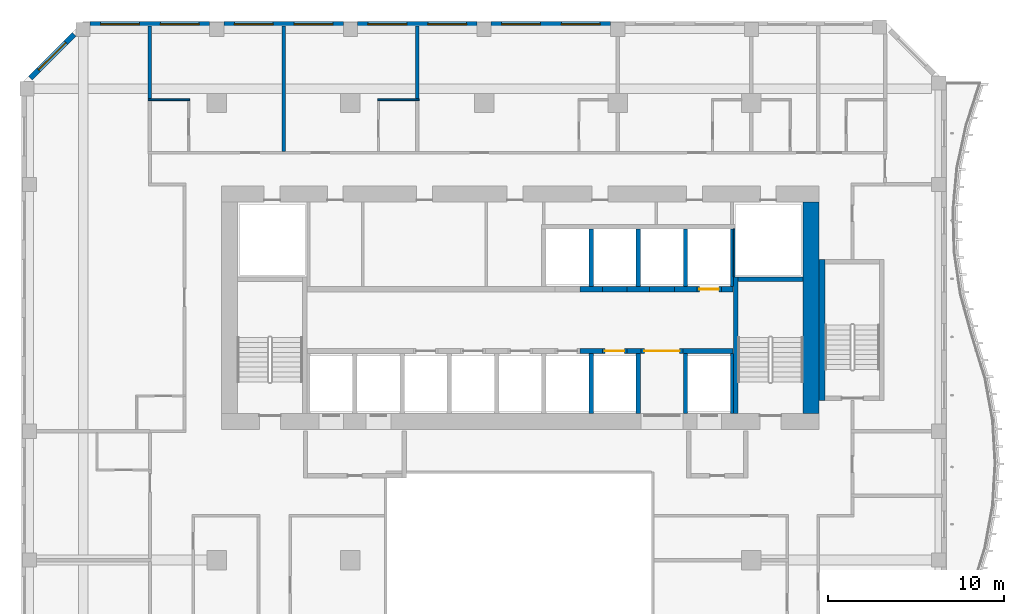
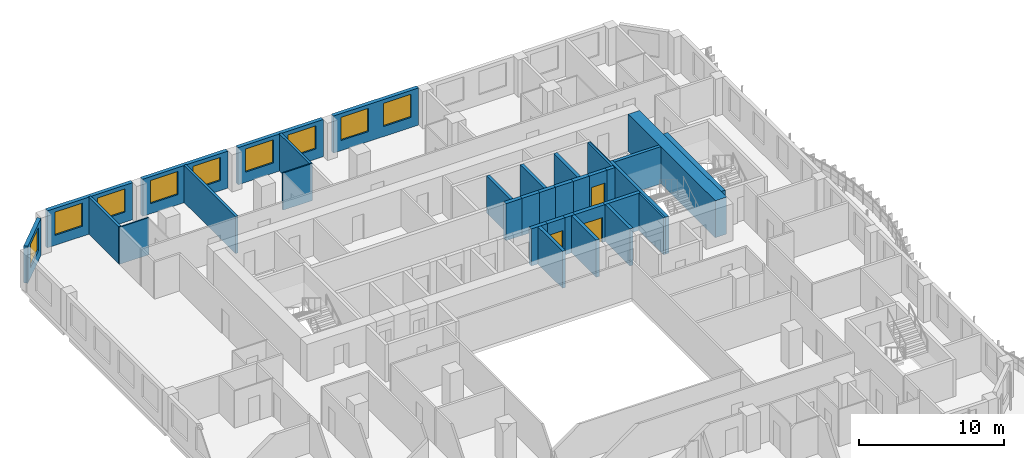
# One storey, part 8 of 22: 35 walls, 9 windows, 3 doors, 12 openings.
"""IFC4 building model written with IfcOpenShell, lengths in metres."""

import ifcopenshell
import ifcopenshell.guid

model = None  # the IFC model being written
_history = None  # IfcOwnerHistory: only IFC2X3 demands one
_inside = {}  # id of a spatial element -> (the spatial element, [elements in it])
_under = {}  # id of a project, library or spatial element -> (it, [spatial elements below it])
_declared = {}  # id of a project -> (the project, [libraries it declares])
_typed = {}  # id of a type object -> (the type object, [elements of that type])
_made_of = {}  # id of a material, layer set ... -> (it, [elements and type objects made of it])


def new_model(schema):
    """Start an empty IFC model of exactly this schema.

    Asked for "IFC4X3", IfcOpenShell would pick the latest addendum, in which some entities
    have other attributes; the version numbers below select the first issue.
    IFC2X3 requires an IfcOwnerHistory on every rooted entity: one is made here for all.
    """
    global model, _history
    if schema == "IFC4X3":
        model = ifcopenshell.file(schema_version=(4, 3, 0, 0))
    else:
        model = ifcopenshell.file(schema=schema)
    _inside.clear()
    _under.clear()
    _declared.clear()
    _typed.clear()
    _made_of.clear()
    _history = None
    if model.schema == "IFC2X3":
        org = make("IfcOrganization", Name="unknown")
        user = make(
            "IfcPersonAndOrganization",
            ThePerson=make("IfcPerson", FamilyName="unknown"),
            TheOrganization=org,
        )
        app = make(
            "IfcApplication",
            ApplicationDeveloper=org,
            Version="unknown",
            ApplicationFullName="unknown",
            ApplicationIdentifier="unknown",
        )
        _history = make(
            "IfcOwnerHistory",
            OwningUser=user,
            OwningApplication=app,
            ChangeAction="ADDED",
            CreationDate=0,
        )
    return model


def make(cls, **values):
    """One entity of the class cls with the attributes given. An attribute that is None is left unset."""
    return model.create_entity(
        cls, **{name: value for name, value in values.items() if value is not None}
    )


def rooted(cls, **values):
    """An entity with a GlobalId (a new one), such as an element, a storey or a relation."""
    return make(cls, GlobalId=ifcopenshell.guid.new(), OwnerHistory=_history, **values)


def si_unit(unit_type, name, prefix=None):
    """IfcSIUnit, for example si_unit("LENGTHUNIT", "METRE", prefix="MILLI")."""
    return make("IfcSIUnit", UnitType=unit_type, Prefix=prefix, Name=name)


def assignment(units):
    """IfcUnitAssignment: the units of a project."""
    return None if units is None else make("IfcUnitAssignment", Units=units)


def point(xyz):
    """IfcCartesianPoint."""
    return None if xyz is None else make("IfcCartesianPoint", Coordinates=xyz)


def direction(xyz):
    """IfcDirection."""
    return None if xyz is None else make("IfcDirection", DirectionRatios=xyz)


def frame(location, z_axis=None, x_axis=None):
    """IfcAxis2Placement3D, a coordinate frame: its origin and axes. An axis left out is left unset."""
    return make(
        "IfcAxis2Placement3D",
        Location=point(location),
        Axis=direction(z_axis),
        RefDirection=direction(x_axis),
    )


def frame_2d(location, x_axis=None):
    """IfcAxis2Placement2D, a coordinate frame in the plane: its origin and x axis."""
    return make(
        "IfcAxis2Placement2D", Location=point(location), RefDirection=direction(x_axis)
    )


def origin():
    """The frame at (0, 0, 0) with its axes left unset."""
    return frame((0.0, 0.0, 0.0))


def place(relative_to, where):
    """IfcLocalPlacement: puts the frame where relative to a parent placement (None: the world)."""
    return make(
        "IfcLocalPlacement", PlacementRelTo=relative_to, RelativePlacement=where
    )


def context(
    kind, dimensions, precision=None, world=None, true_north=None, identifier=None
):
    """IfcGeometricRepresentationContext, for example the 3D "Model" context."""
    return make(
        "IfcGeometricRepresentationContext",
        ContextIdentifier=identifier,
        ContextType=kind,
        CoordinateSpaceDimension=dimensions,
        Precision=precision,
        WorldCoordinateSystem=world,
        TrueNorth=true_north,
    )


def subcontext(parent, identifier, kind, view, scale=None):
    """IfcGeometricRepresentationSubContext, for example "Body" below "Model"."""
    return make(
        "IfcGeometricRepresentationSubContext",
        ContextIdentifier=identifier,
        ContextType=kind,
        ParentContext=parent,
        TargetScale=scale,
        TargetView=view,
    )


def project(units=None, contexts=None):
    """IfcProject with its units and contexts."""
    return rooted(
        "IfcProject",
        Name="project",
        RepresentationContexts=contexts,
        UnitsInContext=assignment(units),
    )


def spatial(cls, under=None, at=None, **own):
    """A site, building, storey or space (cls), placed at a placement, below another one or the project."""
    s = rooted(cls, ObjectPlacement=at, **own)
    if under is not None:
        _under.setdefault(under.id(), (under, []))[1].append(s)
    return s


def profile(cls, at=None, kind="AREA", **sizes):
    """A parametric profile (cls). Its sizes go by their IFC names, for example OverallWidth=200.0."""
    return make(cls, ProfileType=kind, Position=at, **sizes)


def rectangle(**sizes):
    """IfcRectangleProfileDef."""
    return profile("IfcRectangleProfileDef", **sizes)


def extrude(swept, where, along, depth):
    """IfcExtrudedAreaSolid: the profile swept, set in the frame where, extruded along a direction by depth."""
    return make(
        "IfcExtrudedAreaSolid",
        SweptArea=swept,
        Position=where,
        ExtrudedDirection=direction(along),
        Depth=depth,
    )


def shape(context_of_items, identifier, shape_type, items):
    """IfcShapeRepresentation: the items that make up one representation, for example the "Body"."""
    return make(
        "IfcShapeRepresentation",
        ContextOfItems=context_of_items,
        RepresentationIdentifier=identifier,
        RepresentationType=shape_type,
        Items=items,
    )


def source(mapping_origin, context_of_items, identifier, shape_type, items):
    """IfcRepresentationMap: a shape defined once, which mapped items show again and again."""
    return make(
        "IfcRepresentationMap",
        MappingOrigin=mapping_origin,
        MappedRepresentation=shape(context_of_items, identifier, shape_type, items),
    )


def transform(
    local_origin,
    x_axis=None,
    y_axis=None,
    z_axis=None,
    scale=None,
    scale2=None,
    scale3=None,
    uniform=True,
):
    """IfcCartesianTransformationOperator3D, or its non-uniform kind. x_axis, y_axis, z_axis: its Axis1, 2, 3."""
    if uniform:
        return make(
            "IfcCartesianTransformationOperator3D",
            Axis1=direction(x_axis),
            Axis2=direction(y_axis),
            LocalOrigin=point(local_origin),
            Scale=scale,
            Axis3=direction(z_axis),
        )
    return make(
        "IfcCartesianTransformationOperator3DnonUniform",
        Axis1=direction(x_axis),
        Axis2=direction(y_axis),
        LocalOrigin=point(local_origin),
        Scale=scale,
        Axis3=direction(z_axis),
        Scale2=scale2,
        Scale3=scale3,
    )


def mapped(mapping_source, mapping_target):
    """IfcMappedItem: shows the shape of a source again, moved by a transform."""
    return make(
        "IfcMappedItem", MappingSource=mapping_source, MappingTarget=mapping_target
    )


def material(Name=None, Category=None):
    """IfcMaterial."""
    return make("IfcMaterial", Name=Name, Category=Category)


def layer(
    of_material, thickness, ventilated=None, Name=None, Category=None, Priority=None
):
    """IfcMaterialLayer: one layer of a wall or slab, of a material (None: an air gap)."""
    return make(
        "IfcMaterialLayer",
        Material=of_material,
        LayerThickness=thickness,
        IsVentilated=ventilated,
        Name=Name,
        Category=Category,
        Priority=Priority,
    )


def layer_set(layers, Name=None):
    """IfcMaterialLayerSet."""
    return make("IfcMaterialLayerSet", MaterialLayers=layers, LayerSetName=Name)


def made_of(thing, what):
    """Note that an element or type object is made of a material, layer set ...; save() writes the relation."""
    if what is not None:
        _made_of.setdefault(what.id(), (what, []))[1].append(thing)
    return thing


def type_object(cls, material=None, **own):
    """A type object (cls), such as IfcWallType, which elements share."""
    return made_of(rooted(cls, **own), material)


def element(
    cls,
    number,
    at=None,
    inside=None,
    cuts=None,
    type_object=None,
    material=None,
    context=None,
    identifier="Body",
    shape_type=None,
    held_by="IfcProductDefinitionShape",
    body=None,
    shapes=None,
    **own,
):
    """One element of the class cls, such as IfcWall. Its Tag is "e" and its number.

    at: its placement. inside: the storey or other place that contains it. cuts: it is an
    opening in that element (IfcRelVoidsElement). A single representation is given by context,
    identifier, shape_type and body (its items); several are given by shapes. held_by: the class
    of the entity that holds the representations. save() writes the other relations.
    """
    e = rooted(cls, Tag="e%d" % number, ObjectPlacement=at, **own)
    if body is not None:
        shapes = [shape(context, identifier, shape_type, body)]
    if shapes is not None:
        e.Representation = make(held_by, Representations=shapes)
    if inside is not None:
        _inside.setdefault(inside.id(), (inside, []))[1].append(e)
    if cuts is not None:
        rooted(
            "IfcRelVoidsElement", RelatingBuildingElement=cuts, RelatedOpeningElement=e
        )
    if type_object is not None:
        _typed.setdefault(type_object.id(), (type_object, []))[1].append(e)
    return made_of(e, material)


def fill(opening, filler):
    """IfcRelFillsElement: the door or window that sits in an opening."""
    return rooted(
        "IfcRelFillsElement",
        RelatingOpeningElement=opening,
        RelatedBuildingElement=filler,
    )


def aggregate(whole, parts):
    """IfcRelAggregates: a whole, such as a stair, and the parts it consists of."""
    return rooted("IfcRelAggregates", RelatingObject=whole, RelatedObjects=parts)


def save(model, path):
    """Write the relations noted so far, then the file.

    IfcRelAggregates (storeys below a building ...), IfcRelContainedInSpatialStructure (elements
    in a storey), IfcRelDefinesByType, IfcRelAssociatesMaterial and IfcRelDeclares: one each for
    every whole, place, type object, material and project.
    """
    for whole, parts in _under.values():
        aggregate(whole, parts)
    for where, things in _inside.values():
        rooted(
            "IfcRelContainedInSpatialStructure",
            RelatedElements=things,
            RelatingStructure=where,
        )
    for kind, things in _typed.values():
        rooted("IfcRelDefinesByType", RelatedObjects=things, RelatingType=kind)
    for what, things in _made_of.values():
        rooted("IfcRelAssociatesMaterial", RelatedObjects=things, RelatingMaterial=what)
    for by, libraries in _declared.values():
        rooted("IfcRelDeclares", RelatingContext=by, RelatedDefinitions=libraries)
    model.write(path)


model = new_model("IFC4")

# Units and contexts
model_context = context("Model", 3, precision=1e-05, world=origin(), true_north=direction((0.0, 1.0)))
body_context = subcontext(model_context, "Body", "Model", "MODEL_VIEW")
ifc_project = project(units=[si_unit("LENGTHUNIT", "METRE"), si_unit("AREAUNIT", "SQUARE_METRE"), si_unit("VOLUMEUNIT", "CUBIC_METRE"), si_unit("PLANEANGLEUNIT", "RADIAN"), si_unit("MASSUNIT", "GRAM", prefix="KILO")], contexts=[model_context])

# Site, building, storey
site_placement = place(None, origin())
site = spatial("IfcSite", under=ifc_project, at=site_placement, CompositionType="ELEMENT")
building_placement = place(site_placement, origin())
building = spatial("IfcBuilding", under=site, at=building_placement, Name="Kilnfold Tower and Market Hall", CompositionType="ELEMENT")
storey_placement = place(building_placement, frame((0.0, 0.0, 154.10009765625)))
storey = spatial("IfcBuildingStorey", under=building, at=storey_placement, Name="L35", CompositionType="ELEMENT", Elevation=154.10009765625)

# Walls
ifc_material_1 = material(Name="Gypsum board on steel studs", Category="steel")
ifc_layer_1 = layer(ifc_material_1, 0.10009765625)
ifc_layer_set_1 = layer_set([ifc_layer_1], Name="Gypsum board on steel studs")
wall_type_1 = type_object("IfcWallType", Name="WALL PARTITION 100", PredefinedType="PARTITIONING", material=ifc_layer_set_1)
for number, where, z_axis, x_axis, name in (
    (1, (-20.05908203125, 26.802001953125, 0.0), (0.0, 0.0, 1.0), (1.0, 0.0, 0.0), "Partition LY23.76"),
    (2, (-7.0419921875, 26.802001953125, 0.0), (0.0, 0.0, 1.0), (1.0, 0.0, 0.0), "Partition LY23.78"),
):
    element("IfcWall", number, at=place(storey_placement, frame(where, z_axis=z_axis, x_axis=x_axis)), inside=storey, type_object=wall_type_1, Name=name, PredefinedType="PARTITIONING", context=body_context, shape_type="SweptSolid", body=[
        extrude(rectangle(XDim=2.35009765625, YDim=0.10009765625, at=frame_2d((1.175048828125, 0.0))), origin(), (0.0, 0.0, 1.0), 3.119873046875),
    ])
ifc_material_2 = material(Name="Gypsum board on steel studs", Category="steel")
ifc_layer_2 = layer(ifc_material_2, 0.199951171875)
ifc_layer_set_2 = layer_set([ifc_layer_2], Name="Gypsum board on steel studs")
wall_type_2 = type_object("IfcWallType", Name="WALL PARTY 200", PredefinedType="PARTITIONING", material=ifc_layer_set_2)
wall_1_placement = place(storey_placement, frame((-19.958984375, 26.842041015625, 0.0), z_axis=(0.0, 0.0, 1.0), x_axis=(0.0, 1.0, 0.0)))
element("IfcWall", 3, at=wall_1_placement, inside=storey, type_object=wall_type_2, Name="Partition LY23.73", PredefinedType="PARTITIONING", context=body_context, shape_type="SweptSolid", body=[
    extrude(rectangle(XDim=4.157958984375, YDim=0.199951171875, at=frame_2d((2.0791015625, 0.0))), origin(), (0.0, 0.0, 1.0), 3.119873046875),
])
wall_2_placement = place(storey_placement, frame((-12.375, 23.876953125, 0.0), z_axis=(0.0, 0.0, 1.0), x_axis=(0.0, 1.0, 0.0)))
element("IfcWall", 4, at=wall_2_placement, inside=storey, type_object=wall_type_2, Name="Partition LY23.77", PredefinedType="PARTITIONING", context=body_context, shape_type="SweptSolid", body=[
    extrude(rectangle(XDim=7.123046875, YDim=0.199951171875, at=frame_2d((3.5615234375, 0.0))), origin(), (0.0, 0.0, 1.0), 3.119873046875),
])
wall_3_placement = place(storey_placement, frame((-4.7919921875, 26.85205078125, 0.0), z_axis=(0.0, 0.0, 1.0), x_axis=(0.0, 1.0, 0.0)))
element("IfcWall", 5, at=wall_3_placement, inside=storey, type_object=wall_type_2, Name="Partition LY23.80", PredefinedType="PARTITIONING", context=body_context, shape_type="SweptSolid", body=[
    extrude(rectangle(XDim=4.14794921875, YDim=0.199951171875, at=frame_2d((2.073974609375, 0.0))), origin(), (0.0, 0.0, 1.0), 3.119873046875),
])
ifc_material_3 = material(Name="Concrete C70", Category="concrete")
ifc_layer_3 = layer(ifc_material_3, 0.89990234375)
ifc_layer_set_3 = layer_set([ifc_layer_3], Name="Concrete C70")
wall_type_3 = type_object("IfcWallType", Name="CORE WALL 900 C70", PredefinedType="SHEAR", material=ifc_layer_set_3)
shared_shape_1 = source(origin(), body_context, "Body", "SweptSolid", [
    extrude(rectangle(XDim=12.0, YDim=0.89990234375, at=frame_2d((6.0, 0.0))), origin(), (0.0, 0.0, 1.0), 3.119873046875),
])
wall_4_placement = place(storey_placement, frame((17.550048828125, 9.0, 0.0), z_axis=(0.0, 0.0, 1.0), x_axis=(0.0, 1.0, 0.0)))
element("IfcWall", 6, at=wall_4_placement, inside=storey, type_object=wall_type_3, Name="Core outer wall east", PredefinedType="SHEAR", context=body_context, shape_type="MappedRepresentation", body=[
    mapped(shared_shape_1, transform((0.0, 0.0, 0.0))),
])
ifc_material_4 = material(Name="Concrete C70", Category="concrete")
ifc_layer_4 = layer(ifc_material_4, 0.25)
ifc_layer_set_4 = layer_set([ifc_layer_4], Name="Concrete C70")
wall_type_4 = type_object("IfcWallType", Name="CORE WALL 250 C70", PredefinedType="SHEAR", material=ifc_layer_set_4)
shared_shape_2 = source(origin(), body_context, "Body", "SweptSolid", [
    extrude(rectangle(XDim=7.75, YDim=0.25, at=frame_2d((3.875, 0.0))), origin(), (0.0, 0.0, 1.0), 3.119873046875),
])
wall_5_placement = place(storey_placement, frame((13.27490234375, 9.0, 0.0), z_axis=(0.0, 0.0, 1.0), x_axis=(0.0, 1.0, 0.0)))
element("IfcWall", 7, at=wall_5_placement, inside=storey, type_object=wall_type_4, Name="Stair enclosure ST2", PredefinedType="SHEAR", context=body_context, shape_type="MappedRepresentation", body=[
    mapped(shared_shape_2, transform((0.0, 0.0, 0.0))),
])
shared_shape_3 = source(origin(), body_context, "Body", "SweptSolid", [
    extrude(rectangle(XDim=3.7001953125, YDim=0.25, at=frame_2d((1.85009765625, 0.0))), origin(), (0.0, 0.0, 1.0), 3.119873046875),
])
wall_6_placement = place(storey_placement, frame((13.39990234375, 16.625, 0.0), z_axis=(0.0, 0.0, 1.0), x_axis=(1.0, 0.0, 0.0)))
element("IfcWall", 8, at=wall_6_placement, inside=storey, type_object=wall_type_4, Name="Stair enclosure ST2", PredefinedType="SHEAR", context=body_context, shape_type="MappedRepresentation", body=[
    mapped(shared_shape_3, transform((0.0, 0.0, 0.0))),
])
ifc_material_5 = material(Name="Concrete C70", Category="concrete")
ifc_layer_5 = layer(ifc_material_5, 0.35009765625)
ifc_layer_set_5 = layer_set([ifc_layer_5], Name="Concrete C70")
wall_type_5 = type_object("IfcWallType", Name="CORE WALL 350 C70", PredefinedType="SHEAR", material=ifc_layer_set_5)
shared_shape_4 = source(origin(), body_context, "Body", "SweptSolid", [
    extrude(rectangle(XDim=8.0, YDim=0.35009765625, at=frame_2d((4.0, 0.0))), origin(), (0.0, 0.0, 1.0), 3.119873046875),
])
wall_7_placement = place(storey_placement, frame((18.175048828125, 9.75, 0.0), z_axis=(0.0, 0.0, 1.0), x_axis=(0.0, 1.0, 0.0)))
element("IfcWall", 9, at=wall_7_placement, inside=storey, type_object=wall_type_5, Name="Stair enclosure ST5", PredefinedType="SHEAR", context=body_context, shape_type="MappedRepresentation", body=[
    mapped(shared_shape_4, transform((0.0, 0.0, 0.0))),
])
ifc_material_6 = material(Name="Concrete C70", Category="concrete")
ifc_layer_6 = layer(ifc_material_6, 0.300048828125)
ifc_layer_set_6 = layer_set([ifc_layer_6], Name="Concrete C70")
wall_type_6 = type_object("IfcWallType", Name="CORE WALL 300 C70", PredefinedType="SHEAR", material=ifc_layer_set_6)
shared_shape_5 = source(origin(), body_context, "Body", "SweptSolid", [
    extrude(rectangle(XDim=1.280029296875, YDim=0.300048828125, at=frame_2d((0.64013671875, 0.0))), origin(), (0.0, 0.0, 1.0), 3.119873046875),
])
for number, where, z_axis, x_axis, name in (
    (10, (4.429931640625, 12.550048828125, 0.0), (0.0, 0.0, 1.0), (1.0, 0.0, 0.0), "Core spine wall"),
    (11, (4.429931640625, 16.050048828125, 0.0), (0.0, 0.0, 1.0), (1.0, 0.0, 0.0), "Core spine wall"),
    (12, (9.7900390625, 16.050048828125, 0.0), (0.0, 0.0, 1.0), (1.0, 0.0, 0.0), "Core spine wall"),
):
    element("IfcWall", number, at=place(storey_placement, frame(where, z_axis=z_axis, x_axis=x_axis)), inside=storey, type_object=wall_type_6, Name=name, PredefinedType="SHEAR", context=body_context, shape_type="MappedRepresentation", body=[
        mapped(shared_shape_5, transform((0.0, 0.0, 0.0))),
    ])
shared_shape_6 = source(origin(), body_context, "Body", "SweptSolid", [
    extrude(rectangle(XDim=0.77978515625, YDim=0.300048828125, at=frame_2d((0.389892578125, 0.0))), origin(), (0.0, 0.0, 1.0), 3.119873046875),
])
wall_8_placement = place(storey_placement, frame((7.110107421875, 12.550048828125, 0.0), z_axis=(0.0, 0.0, 1.0), x_axis=(1.0, 0.0, 0.0)))
element("IfcWall", 13, at=wall_8_placement, inside=storey, type_object=wall_type_6, Name="Core spine wall", PredefinedType="SHEAR", context=body_context, shape_type="MappedRepresentation", body=[
    mapped(shared_shape_6, transform((0.0, 0.0, 0.0))),
])
shared_shape_7 = source(origin(), body_context, "Body", "SweptSolid", [
    extrude(rectangle(XDim=2.820068359375, YDim=0.300048828125, at=frame_2d((1.41015625, 0.0))), origin(), (0.0, 0.0, 1.0), 3.119873046875),
])
wall_9_placement = place(storey_placement, frame((10.2900390625, 12.550048828125, 0.0), z_axis=(0.0, 0.0, 1.0), x_axis=(1.0, 0.0, 0.0)))
element("IfcWall", 14, at=wall_9_placement, inside=storey, type_object=wall_type_6, Name="Core spine wall", PredefinedType="SHEAR", context=body_context, shape_type="MappedRepresentation", body=[
    mapped(shared_shape_7, transform((0.0, 0.0, 0.0))),
])
shared_shape_8 = source(origin(), body_context, "Body", "SweptSolid", [
    extrude(rectangle(XDim=1.27978515625, YDim=0.300048828125, at=frame_2d((0.639892578125, 0.0))), origin(), (0.0, 0.0, 1.0), 3.119873046875),
])
wall_10_placement = place(storey_placement, frame((7.110107421875, 16.050048828125, 0.0), z_axis=(0.0, 0.0, 1.0), x_axis=(1.0, 0.0, 0.0)))
element("IfcWall", 15, at=wall_10_placement, inside=storey, type_object=wall_type_6, Name="Core spine wall", PredefinedType="SHEAR", context=body_context, shape_type="MappedRepresentation", body=[
    mapped(shared_shape_8, transform((0.0, 0.0, 0.0))),
])
shared_shape_9 = source(origin(), body_context, "Body", "SweptSolid", [
    extrude(rectangle(XDim=0.64013671875, YDim=0.300048828125, at=frame_2d((0.320068359375, 0.0))), origin(), (0.0, 0.0, 1.0), 3.119873046875),
])
wall_11_placement = place(storey_placement, frame((12.469970703125, 16.050048828125, 0.0), z_axis=(0.0, 0.0, 1.0), x_axis=(1.0, 0.0, 0.0)))
element("IfcWall", 16, at=wall_11_placement, inside=storey, type_object=wall_type_6, Name="Core spine wall", PredefinedType="SHEAR", context=body_context, shape_type="MappedRepresentation", body=[
    mapped(shared_shape_9, transform((0.0, 0.0, 0.0))),
])

# Wall, openings, windows
ifc_material_7 = material(Name="Precast concrete C50/60", Category="concrete")
ifc_layer_7 = layer(ifc_material_7, 0.300048828125)
ifc_layer_set_7 = layer_set([ifc_layer_7], Name="Precast concrete C50/60")
wall_type_7 = type_object("IfcWallType", Name="PRECAST WALL 300", PredefinedType="SOLIDWALL", material=ifc_layer_set_7)
shared_shape_10 = source(origin(), body_context, "Body", "SweptSolid", [
    extrude(rectangle(XDim=6.783447265625, YDim=0.300048828125, at=frame_2d((3.3916015625, 0.0))), origin(), (0.0, 0.0, 1.0), 3.119873046875),
])
wall_12_placement = place(storey_placement, frame((6.183349609375, 31.10009765625, 0.0), z_axis=(0.0, 0.0, 1.0), x_axis=(-1.0, 0.0, 0.0)))
wall_12 = element("IfcWall", 17, at=wall_12_placement, inside=storey, type_object=wall_type_7, Name="External wall L35 N", PredefinedType="SOLIDWALL", context=body_context, shape_type="MappedRepresentation", body=[
    mapped(shared_shape_10, transform((0.0, 0.0, 0.0))),
])
opening_1_placement = place(wall_12_placement, frame((0.595703125, 0.0, 0.85009765625)))
opening_1 = element("IfcOpeningElement", 18, at=opening_1_placement, cuts=wall_12, Name="Opening W2", PredefinedType="OPENING", context=body_context, shape_type="SweptSolid", body=[
    extrude(rectangle(XDim=2.199951171875, YDim=1.949951171875, at=frame_2d((1.10009765625, 0.97509765625))), frame((0.0, 0.16015625, 0.0), z_axis=(0.0, -1.0, 0.0), x_axis=(1.0, 0.0, 0.0)), (0.0, 0.0, 1.0), 0.320068359375),
])
opening_2_placement = place(wall_12_placement, frame((3.987548828125, 0.0, 0.85009765625)))
opening_2 = element("IfcOpeningElement", 19, at=opening_2_placement, cuts=wall_12, Name="Opening W2", PredefinedType="OPENING", context=body_context, shape_type="SweptSolid", body=[
    extrude(rectangle(XDim=2.199951171875, YDim=1.949951171875, at=frame_2d((1.10009765625, 0.97509765625))), frame((0.0, 0.16015625, 0.0), z_axis=(0.0, -1.0, 0.0), x_axis=(1.0, 0.0, 0.0)), (0.0, 0.0, 1.0), 0.320068359375),
])
ifc_material_8 = material(Name="Aluminium frame and double glazing", Category="aluminium")
window_type = type_object("IfcWindowType", Name="WINDOW W2 2200X1950", PartitioningType="SINGLE_PANEL", PredefinedType="WINDOW", material=ifc_material_8)
window_1_placement = place(opening_1_placement, origin())
window_1 = element("IfcWindow", 20, at=window_1_placement, inside=storey, type_object=window_type, Name="Window W2 L35 N-1", OverallHeight=1.949951171875, OverallWidth=2.199951171875, PartitioningType="SINGLE_PANEL", PredefinedType="WINDOW", context=body_context, shape_type="SweptSolid", body=[
    extrude(rectangle(XDim=2.199951171875, YDim=1.949951171875, at=frame_2d((1.10009765625, 0.97509765625))), frame((0.0, 0.030029296875, 0.0), z_axis=(0.0, -1.0, 0.0), x_axis=(1.0, 0.0, 0.0)), (0.0, 0.0, 1.0), 0.06005859375),
])
fill(opening_1, window_1)
window_2_placement = place(opening_2_placement, origin())
window_2 = element("IfcWindow", 21, at=window_2_placement, inside=storey, type_object=window_type, Name="Window W2 L35 N-2", OverallHeight=1.949951171875, OverallWidth=2.199951171875, PartitioningType="SINGLE_PANEL", PredefinedType="WINDOW", context=body_context, shape_type="SweptSolid", body=[
    extrude(rectangle(XDim=2.199951171875, YDim=1.949951171875, at=frame_2d((1.10009765625, 0.97509765625))), frame((0.0, 0.030029296875, 0.0), z_axis=(0.0, -1.0, 0.0), x_axis=(1.0, 0.0, 0.0)), (0.0, 0.0, 1.0), 0.06005859375),
])
fill(opening_2, window_2)

wall_13_placement = place(storey_placement, frame((-1.39990234375, 31.10009765625, 0.0), z_axis=(0.0, 0.0, 1.0), x_axis=(-1.0, 0.0, 0.0)))
wall_13 = element("IfcWall", 22, at=wall_13_placement, inside=storey, type_object=wall_type_7, Name="External wall L35 N", PredefinedType="SOLIDWALL", context=body_context, shape_type="MappedRepresentation", body=[
    mapped(shared_shape_10, transform((0.0, 0.0, 0.0))),
])
opening_3_placement = place(wall_13_placement, frame((0.595703125, 0.0, 0.85009765625)))
opening_3 = element("IfcOpeningElement", 23, at=opening_3_placement, cuts=wall_13, Name="Opening W2", PredefinedType="OPENING", context=body_context, shape_type="SweptSolid", body=[
    extrude(rectangle(XDim=2.199951171875, YDim=1.949951171875, at=frame_2d((1.10009765625, 0.97509765625))), frame((0.0, 0.16015625, 0.0), z_axis=(0.0, -1.0, 0.0), x_axis=(1.0, 0.0, 0.0)), (0.0, 0.0, 1.0), 0.320068359375),
])
opening_4_placement = place(wall_13_placement, frame((3.987548828125, 0.0, 0.85009765625)))
opening_4 = element("IfcOpeningElement", 24, at=opening_4_placement, cuts=wall_13, Name="Opening W2", PredefinedType="OPENING", context=body_context, shape_type="SweptSolid", body=[
    extrude(rectangle(XDim=2.199951171875, YDim=1.949951171875, at=frame_2d((1.10009765625, 0.97509765625))), frame((0.0, 0.16015625, 0.0), z_axis=(0.0, -1.0, 0.0), x_axis=(1.0, 0.0, 0.0)), (0.0, 0.0, 1.0), 0.320068359375),
])
window_3_placement = place(opening_3_placement, origin())
window_3 = element("IfcWindow", 25, at=window_3_placement, inside=storey, type_object=window_type, Name="Window W2 L35 N-1", OverallHeight=1.949951171875, OverallWidth=2.199951171875, PartitioningType="SINGLE_PANEL", PredefinedType="WINDOW", context=body_context, shape_type="SweptSolid", body=[
    extrude(rectangle(XDim=2.199951171875, YDim=1.949951171875, at=frame_2d((1.10009765625, 0.97509765625))), frame((0.0, 0.030029296875, 0.0), z_axis=(0.0, -1.0, 0.0), x_axis=(1.0, 0.0, 0.0)), (0.0, 0.0, 1.0), 0.06005859375),
])
fill(opening_3, window_3)
window_4_placement = place(opening_4_placement, origin())
window_4 = element("IfcWindow", 26, at=window_4_placement, inside=storey, type_object=window_type, Name="Window W2 L35 N-2", OverallHeight=1.949951171875, OverallWidth=2.199951171875, PartitioningType="SINGLE_PANEL", PredefinedType="WINDOW", context=body_context, shape_type="SweptSolid", body=[
    extrude(rectangle(XDim=2.199951171875, YDim=1.949951171875, at=frame_2d((1.10009765625, 0.97509765625))), frame((0.0, 0.030029296875, 0.0), z_axis=(0.0, -1.0, 0.0), x_axis=(1.0, 0.0, 0.0)), (0.0, 0.0, 1.0), 0.06005859375),
])
fill(opening_4, window_4)

wall_14_placement = place(storey_placement, frame((-16.566650390625, 31.10009765625, 0.0), z_axis=(0.0, 0.0, 1.0), x_axis=(-1.0, 0.0, 0.0)))
wall_14 = element("IfcWall", 27, at=wall_14_placement, inside=storey, type_object=wall_type_7, Name="External wall L35 N", PredefinedType="SOLIDWALL", context=body_context, shape_type="MappedRepresentation", body=[
    mapped(shared_shape_10, transform((0.0, 0.0, 0.0))),
])
opening_5_placement = place(wall_14_placement, frame((0.595703125, 0.0, 0.85009765625)))
opening_5 = element("IfcOpeningElement", 28, at=opening_5_placement, cuts=wall_14, Name="Opening W2", PredefinedType="OPENING", context=body_context, shape_type="SweptSolid", body=[
    extrude(rectangle(XDim=2.199951171875, YDim=1.949951171875, at=frame_2d((1.10009765625, 0.97509765625))), frame((0.0, 0.16015625, 0.0), z_axis=(0.0, -1.0, 0.0), x_axis=(1.0, 0.0, 0.0)), (0.0, 0.0, 1.0), 0.320068359375),
])
opening_6_placement = place(wall_14_placement, frame((3.987548828125, 0.0, 0.85009765625)))
opening_6 = element("IfcOpeningElement", 29, at=opening_6_placement, cuts=wall_14, Name="Opening W2", PredefinedType="OPENING", context=body_context, shape_type="SweptSolid", body=[
    extrude(rectangle(XDim=2.199951171875, YDim=1.949951171875, at=frame_2d((1.10009765625, 0.97509765625))), frame((0.0, 0.16015625, 0.0), z_axis=(0.0, -1.0, 0.0), x_axis=(1.0, 0.0, 0.0)), (0.0, 0.0, 1.0), 0.320068359375),
])
window_5_placement = place(opening_5_placement, origin())
window_5 = element("IfcWindow", 30, at=window_5_placement, inside=storey, type_object=window_type, Name="Window W2 L35 N-1", OverallHeight=1.949951171875, OverallWidth=2.199951171875, PartitioningType="SINGLE_PANEL", PredefinedType="WINDOW", context=body_context, shape_type="SweptSolid", body=[
    extrude(rectangle(XDim=2.199951171875, YDim=1.949951171875, at=frame_2d((1.10009765625, 0.97509765625))), frame((0.0, 0.030029296875, 0.0), z_axis=(0.0, -1.0, 0.0), x_axis=(1.0, 0.0, 0.0)), (0.0, 0.0, 1.0), 0.06005859375),
])
fill(opening_5, window_5)
window_6_placement = place(opening_6_placement, origin())
window_6 = element("IfcWindow", 31, at=window_6_placement, inside=storey, type_object=window_type, Name="Window W2 L35 N-2", OverallHeight=1.949951171875, OverallWidth=2.199951171875, PartitioningType="SINGLE_PANEL", PredefinedType="WINDOW", context=body_context, shape_type="SweptSolid", body=[
    extrude(rectangle(XDim=2.199951171875, YDim=1.949951171875, at=frame_2d((1.10009765625, 0.97509765625))), frame((0.0, 0.030029296875, 0.0), z_axis=(0.0, -1.0, 0.0), x_axis=(1.0, 0.0, 0.0)), (0.0, 0.0, 1.0), 0.06005859375),
])
fill(opening_6, window_6)

shared_shape_11 = source(origin(), body_context, "Body", "SweptSolid", [
    extrude(rectangle(XDim=6.783203125, YDim=0.300048828125, at=frame_2d((3.3916015625, 0.0))), origin(), (0.0, 0.0, 1.0), 3.119873046875),
])
wall_15_placement = place(storey_placement, frame((-8.9833984375, 31.10009765625, 0.0), z_axis=(0.0, 0.0, 1.0), x_axis=(-1.0, 0.0, 0.0)))
wall_15 = element("IfcWall", 32, at=wall_15_placement, inside=storey, type_object=wall_type_7, Name="External wall L35 N", PredefinedType="SOLIDWALL", context=body_context, shape_type="MappedRepresentation", body=[
    mapped(shared_shape_11, transform((0.0, 0.0, 0.0))),
])
opening_7_placement = place(wall_15_placement, frame((0.595703125, 0.0, 0.85009765625)))
opening_7 = element("IfcOpeningElement", 33, at=opening_7_placement, cuts=wall_15, Name="Opening W2", PredefinedType="OPENING", context=body_context, shape_type="SweptSolid", body=[
    extrude(rectangle(XDim=2.199951171875, YDim=1.949951171875, at=frame_2d((1.10009765625, 0.97509765625))), frame((0.0, 0.16015625, 0.0), z_axis=(0.0, -1.0, 0.0), x_axis=(1.0, 0.0, 0.0)), (0.0, 0.0, 1.0), 0.320068359375),
])
opening_8_placement = place(wall_15_placement, frame((3.987548828125, 0.0, 0.85009765625)))
opening_8 = element("IfcOpeningElement", 34, at=opening_8_placement, cuts=wall_15, Name="Opening W2", PredefinedType="OPENING", context=body_context, shape_type="SweptSolid", body=[
    extrude(rectangle(XDim=2.199951171875, YDim=1.949951171875, at=frame_2d((1.10009765625, 0.97509765625))), frame((0.0, 0.16015625, 0.0), z_axis=(0.0, -1.0, 0.0), x_axis=(1.0, 0.0, 0.0)), (0.0, 0.0, 1.0), 0.320068359375),
])
window_7_placement = place(opening_7_placement, origin())
window_7 = element("IfcWindow", 35, at=window_7_placement, inside=storey, type_object=window_type, Name="Window W2 L35 N-1", OverallHeight=1.949951171875, OverallWidth=2.199951171875, PartitioningType="SINGLE_PANEL", PredefinedType="WINDOW", context=body_context, shape_type="SweptSolid", body=[
    extrude(rectangle(XDim=2.199951171875, YDim=1.949951171875, at=frame_2d((1.10009765625, 0.97509765625))), frame((0.0, 0.030029296875, 0.0), z_axis=(0.0, -1.0, 0.0), x_axis=(1.0, 0.0, 0.0)), (0.0, 0.0, 1.0), 0.06005859375),
])
fill(opening_7, window_7)
window_8_placement = place(opening_8_placement, origin())
window_8 = element("IfcWindow", 36, at=window_8_placement, inside=storey, type_object=window_type, Name="Window W2 L35 N-2", OverallHeight=1.949951171875, OverallWidth=2.199951171875, PartitioningType="SINGLE_PANEL", PredefinedType="WINDOW", context=body_context, shape_type="SweptSolid", body=[
    extrude(rectangle(XDim=2.199951171875, YDim=1.949951171875, at=frame_2d((1.10009765625, 0.97509765625))), frame((0.0, 0.030029296875, 0.0), z_axis=(0.0, -1.0, 0.0), x_axis=(1.0, 0.0, 0.0)), (0.0, 0.0, 1.0), 0.06005859375),
])
fill(opening_8, window_8)

# Wall, opening, window
shared_shape_12 = source(origin(), body_context, "Body", "SweptSolid", [
    extrude(rectangle(XDim=3.500244140625, YDim=0.300048828125, at=frame_2d((1.75, 0.0))), origin(), (0.0, 0.0, 1.0), 3.119873046875),
])
wall_16_placement = place(storey_placement, frame((-24.268798828125, 30.518798828125, 0.0), z_axis=(0.0, 0.0, 1.0), x_axis=(-0.707141656123, -0.70707190453, 0.0)))
wall_16 = element("IfcWall", 37, at=wall_16_placement, inside=storey, type_object=wall_type_7, Name="External wall L35 NW", PredefinedType="SOLIDWALL", context=body_context, shape_type="MappedRepresentation", body=[
    mapped(shared_shape_12, transform((0.0, 0.0, 0.0))),
])
opening_9_placement = place(wall_16_placement, frame((0.650146484375, 0.0, 0.85009765625)))
opening_9 = element("IfcOpeningElement", 38, at=opening_9_placement, cuts=wall_16, Name="Opening W2", PredefinedType="OPENING", context=body_context, shape_type="SweptSolid", body=[
    extrude(rectangle(XDim=2.199951171875, YDim=1.949951171875, at=frame_2d((1.10009765625, 0.97509765625))), frame((0.0, 0.16015625, 0.0), z_axis=(0.0, -1.0, 0.0), x_axis=(1.0, 0.0, 0.0)), (0.0, 0.0, 1.0), 0.320068359375),
])
window_9_placement = place(opening_9_placement, origin())
window_9 = element("IfcWindow", 39, at=window_9_placement, inside=storey, type_object=window_type, Name="Window W2 L35 NW-1", OverallHeight=1.949951171875, OverallWidth=2.199951171875, PartitioningType="SINGLE_PANEL", PredefinedType="WINDOW", context=body_context, shape_type="SweptSolid", body=[
    extrude(rectangle(XDim=2.199951171875, YDim=1.949951171875, at=frame_2d((1.10009765625, 0.97509765625))), frame((0.0, 0.030029296875, 0.0), z_axis=(0.0, -1.0, 0.0), x_axis=(1.0, 0.0, 0.0)), (0.0, 0.0, 1.0), 0.06005859375),
])
fill(opening_9, window_9)

# Wall, opening, door
ifc_material_9 = material(Name="Gypsum shaft wall system")
ifc_layer_8 = layer(ifc_material_9, 0.300048828125)
ifc_layer_set_8 = layer_set([ifc_layer_8], Name="Gypsum shaft wall system")
wall_type_8 = type_object("IfcWallType", Name="SHAFT WALL 300", PredefinedType="PARTITIONING", material=ifc_layer_set_8)
shared_shape_13 = source(origin(), body_context, "Body", "SweptSolid", [
    extrude(rectangle(XDim=1.39990234375, YDim=0.300048828125, at=frame_2d((0.699951171875, 0.0))), origin(), (0.0, 0.0, 1.0), 3.119873046875),
])
wall_17_placement = place(storey_placement, frame((11.070068359375, 16.050048828125, 0.0), z_axis=(0.0, 0.0, 1.0), x_axis=(1.0, 0.0, 0.0)))
wall_17 = element("IfcWall", 40, at=wall_17_placement, inside=storey, type_object=wall_type_8, Name="Lift shaft front wall", PredefinedType="PARTITIONING", context=body_context, shape_type="MappedRepresentation", body=[
    mapped(shared_shape_13, transform((0.0, 0.0, 0.0))),
])
opening_10_placement = place(wall_17_placement, frame((0.14990234375, 0.0, 0.0)))
opening_10 = element("IfcOpeningElement", 41, at=opening_10_placement, cuts=wall_17, Name="Opening LD2", PredefinedType="OPENING", context=body_context, shape_type="SweptSolid", body=[
    extrude(rectangle(XDim=1.10009765625, YDim=2.10009765625, at=frame_2d((0.550048828125, 1.050048828125))), frame((0.0, 0.16015625, 0.0), z_axis=(0.0, -1.0, 0.0), x_axis=(1.0, 0.0, 0.0)), (0.0, 0.0, 1.0), 0.320068359375),
])
ifc_material_10 = material(Name="Steel door set with fire-resisting leaf", Category="steel")
door_type_1 = type_object("IfcDoorType", Name="LANDING DOOR 1100X2100", OperationType="NOTDEFINED", PredefinedType="DOOR", material=ifc_material_10)
door_1_placement = place(opening_10_placement, origin())
door_1 = element("IfcDoor", 42, at=door_1_placement, inside=storey, type_object=door_type_1, Name="Landing door MR6", OperationType="DOUBLE_DOOR_SLIDING", OverallHeight=2.10009765625, OverallWidth=1.10009765625, PredefinedType="DOOR", context=body_context, shape_type="SweptSolid", body=[
    extrude(rectangle(XDim=1.10009765625, YDim=2.10009765625, at=frame_2d((0.550048828125, 1.050048828125))), frame((0.0, 0.02490234375, 0.0), z_axis=(0.0, -1.0, 0.0), x_axis=(1.0, 0.0, 0.0)), (0.0, 0.0, 1.0), 0.050048828125),
])
fill(opening_10, door_1)

shared_shape_14 = source(origin(), body_context, "Body", "SweptSolid", [
    extrude(rectangle(XDim=1.400146484375, YDim=0.300048828125, at=frame_2d((0.7001953125, 0.0))), origin(), (0.0, 0.0, 1.0), 3.119873046875),
])
wall_18_placement = place(storey_placement, frame((5.7099609375, 12.550048828125, 0.0), z_axis=(0.0, 0.0, 1.0), x_axis=(1.0, 0.0, 0.0)))
wall_18 = element("IfcWall", 43, at=wall_18_placement, inside=storey, type_object=wall_type_8, Name="Lift shaft front wall", PredefinedType="PARTITIONING", context=body_context, shape_type="MappedRepresentation", body=[
    mapped(shared_shape_14, transform((0.0, 0.0, 0.0))),
])
opening_11_placement = place(wall_18_placement, frame((0.14990234375, 0.0, 0.0)))
opening_11 = element("IfcOpeningElement", 44, at=opening_11_placement, cuts=wall_18, Name="Opening LD2", PredefinedType="OPENING", context=body_context, shape_type="SweptSolid", body=[
    extrude(rectangle(XDim=1.10009765625, YDim=2.10009765625, at=frame_2d((0.550048828125, 1.050048828125))), frame((0.0, 0.16015625, 0.0), z_axis=(0.0, -1.0, 0.0), x_axis=(1.0, 0.0, 0.0)), (0.0, 0.0, 1.0), 0.320068359375),
])
door_2_placement = place(opening_11_placement, origin())
door_2 = element("IfcDoor", 45, at=door_2_placement, inside=storey, type_object=door_type_1, Name="Landing door MR5", OperationType="DOUBLE_DOOR_SLIDING", OverallHeight=2.10009765625, OverallWidth=1.10009765625, PredefinedType="DOOR", context=body_context, shape_type="SweptSolid", body=[
    extrude(rectangle(XDim=1.10009765625, YDim=2.10009765625, at=frame_2d((0.550048828125, 1.050048828125))), frame((0.0, 0.02490234375, 0.0), z_axis=(0.0, -1.0, 0.0), x_axis=(1.0, 0.0, 0.0)), (0.0, 0.0, 1.0), 0.050048828125),
])
fill(opening_11, door_2)

# Walls
for number, where, z_axis, x_axis, name in (
    (46, (5.7099609375, 16.050048828125, 0.0), (0.0, 0.0, 1.0), (1.0, 0.0, 0.0), "Lift shaft front wall"),
    (47, (8.389892578125, 16.050048828125, 0.0), (0.0, 0.0, 1.0), (1.0, 0.0, 0.0), "Lift shaft front wall"),
):
    element("IfcWall", number, at=place(storey_placement, frame(where, z_axis=z_axis, x_axis=x_axis)), inside=storey, type_object=wall_type_8, Name=name, PredefinedType="PARTITIONING", context=body_context, shape_type="MappedRepresentation", body=[
        mapped(shared_shape_14, transform((0.0, 0.0, 0.0))),
    ])

# Wall, opening, door
shared_shape_15 = source(origin(), body_context, "Body", "SweptSolid", [
    extrude(rectangle(XDim=2.400146484375, YDim=0.300048828125, at=frame_2d((1.2001953125, 0.0))), origin(), (0.0, 0.0, 1.0), 3.119873046875),
])
wall_19_placement = place(storey_placement, frame((7.889892578125, 12.550048828125, 0.0), z_axis=(0.0, 0.0, 1.0), x_axis=(1.0, 0.0, 0.0)))
wall_19 = element("IfcWall", 48, at=wall_19_placement, inside=storey, type_object=wall_type_8, Name="Lift shaft front wall", PredefinedType="PARTITIONING", context=body_context, shape_type="MappedRepresentation", body=[
    mapped(shared_shape_15, transform((0.0, 0.0, 0.0))),
])
opening_12_placement = place(wall_19_placement, frame((0.199951171875, 0.0, 0.0)))
opening_12 = element("IfcOpeningElement", 49, at=opening_12_placement, cuts=wall_19, Name="Opening VD2", PredefinedType="OPENING", context=body_context, shape_type="SweptSolid", body=[
    extrude(rectangle(XDim=2.0, YDim=2.10009765625, at=frame_2d((1.0, 1.050048828125))), frame((0.0, 0.16015625, 0.0), z_axis=(0.0, -1.0, 0.0), x_axis=(1.0, 0.0, 0.0)), (0.0, 0.0, 1.0), 0.320068359375),
])
ifc_material_11 = material(Name="Steel door set with fire-resisting leaf", Category="steel")
door_type_2 = type_object("IfcDoorType", Name="LIFT LOBBY ENTRANCE DOOR 2000X2100", OperationType="NOTDEFINED", PredefinedType="DOOR", material=ifc_material_11)
door_3_placement = place(opening_12_placement, origin())
door_3 = element("IfcDoor", 50, at=door_3_placement, inside=storey, type_object=door_type_2, Name="Lift lobby entrance door", OperationType="DOUBLE_DOOR_SINGLE_SWING", OverallHeight=2.10009765625, OverallWidth=2.0, PredefinedType="DOOR", context=body_context, shape_type="SweptSolid", body=[
    extrude(rectangle(XDim=2.0, YDim=2.10009765625, at=frame_2d((1.0, 1.050048828125))), frame((0.0, 0.02490234375, 0.0), z_axis=(0.0, -1.0, 0.0), x_axis=(1.0, 0.0, 0.0)), (0.0, 0.0, 1.0), 0.050048828125),
])
fill(opening_12, door_3)

# Walls
ifc_material_12 = material(Name="Gypsum shaft wall system")
ifc_layer_9 = layer(ifc_material_12, 0.1650390625)
ifc_layer_set_9 = layer_set([ifc_layer_9], Name="Gypsum shaft wall system")
wall_type_9 = type_object("IfcWallType", Name="SHAFT WALL 165", PredefinedType="PARTITIONING", material=ifc_layer_set_9)
shared_shape_16 = source(origin(), body_context, "Body", "SweptSolid", [
    extrude(rectangle(XDim=3.275146484375, YDim=0.1650390625, at=frame_2d((1.6376953125, 0.0))), origin(), (0.0, 0.0, 1.0), 3.119873046875),
])
wall_20_placement = place(storey_placement, frame((13.0673828125, 16.199951171875, 0.0), z_axis=(0.0, 0.0, 1.0), x_axis=(0.0, 1.0, 0.0)))
element("IfcWall", 51, at=wall_20_placement, inside=storey, type_object=wall_type_9, Name="Lift shaft wall", PredefinedType="PARTITIONING", context=body_context, shape_type="MappedRepresentation", body=[
    mapped(shared_shape_16, transform((0.0, 0.0, 0.0))),
])
ifc_material_13 = material(Name="Gypsum shaft wall system")
ifc_layer_10 = layer(ifc_material_13, 0.25)
ifc_layer_set_10 = layer_set([ifc_layer_10], Name="Gypsum shaft wall system")
wall_type_10 = type_object("IfcWallType", Name="SHAFT WALL 250", PredefinedType="PARTITIONING", material=ifc_layer_set_10)
shared_shape_17 = source(origin(), body_context, "Body", "SweptSolid", [
    extrude(rectangle(XDim=3.275146484375, YDim=0.25, at=frame_2d((1.6376953125, 0.0))), origin(), (0.0, 0.0, 1.0), 3.119873046875),
])
for number, where, z_axis, x_axis, name in (
    (52, (10.429931640625, 16.199951171875, 0.0), (0.0, 0.0, 1.0), (0.0, 1.0, 0.0), "Lift shaft wall"),
    (53, (5.070068359375, 16.199951171875, 0.0), (0.0, 0.0, 1.0), (0.0, 1.0, 0.0), "Lift shaft wall"),
    (54, (7.75, 16.199951171875, 0.0), (0.0, 0.0, 1.0), (0.0, 1.0, 0.0), "Lift shaft wall"),
):
    element("IfcWall", number, at=place(storey_placement, frame(where, z_axis=z_axis, x_axis=x_axis)), inside=storey, type_object=wall_type_10, Name=name, PredefinedType="PARTITIONING", context=body_context, shape_type="MappedRepresentation", body=[
        mapped(shared_shape_17, transform((0.0, 0.0, 0.0))),
    ])
ifc_material_14 = material(Name="Gypsum shaft wall system")
ifc_layer_11 = layer(ifc_material_14, 0.0849609375)
ifc_layer_set_11 = layer_set([ifc_layer_11], Name="Gypsum shaft wall system")
wall_type_11 = type_object("IfcWallType", Name="SHAFT WALL 85", PredefinedType="PARTITIONING", material=ifc_layer_set_11)
shared_shape_18 = source(origin(), body_context, "Body", "SweptSolid", [
    extrude(rectangle(XDim=2.72509765625, YDim=0.0849609375, at=frame_2d((1.362548828125, 0.0))), origin(), (0.0, 0.0, 1.0), 3.119873046875),
])
wall_21_placement = place(storey_placement, frame((13.1923828125, 16.75, 0.0), z_axis=(0.0, 0.0, 1.0), x_axis=(0.0, 1.0, 0.0)))
element("IfcWall", 55, at=wall_21_placement, inside=storey, type_object=wall_type_11, Name="Lift shaft wall", PredefinedType="PARTITIONING", context=body_context, shape_type="MappedRepresentation", body=[
    mapped(shared_shape_18, transform((0.0, 0.0, 0.0))),
])
shared_shape_19 = source(origin(), body_context, "Body", "SweptSolid", [
    extrude(rectangle(XDim=3.39990234375, YDim=0.25, at=frame_2d((1.699951171875, 0.0))), origin(), (0.0, 0.0, 1.0), 3.119873046875),
])
for number, where, z_axis, x_axis, name in (
    (56, (10.429931640625, 9.0, 0.0), (0.0, 0.0, 1.0), (0.0, 1.0, 0.0), "Lift shaft wall"),
    (57, (5.070068359375, 9.0, 0.0), (0.0, 0.0, 1.0), (0.0, 1.0, 0.0), "Lift shaft wall"),
    (58, (7.75, 9.0, 0.0), (0.0, 0.0, 1.0), (0.0, 1.0, 0.0), "Lift shaft wall"),
):
    element("IfcWall", number, at=place(storey_placement, frame(where, z_axis=z_axis, x_axis=x_axis)), inside=storey, type_object=wall_type_10, Name=name, PredefinedType="PARTITIONING", context=body_context, shape_type="MappedRepresentation", body=[
        mapped(shared_shape_19, transform((0.0, 0.0, 0.0))),
    ])
shared_shape_20 = source(origin(), body_context, "Body", "SweptSolid", [
    extrude(rectangle(XDim=3.39990234375, YDim=0.1650390625, at=frame_2d((1.699951171875, 0.0))), origin(), (0.0, 0.0, 1.0), 3.119873046875),
])
wall_22_placement = place(storey_placement, frame((13.0673828125, 9.0, 0.0), z_axis=(0.0, 0.0, 1.0), x_axis=(0.0, 1.0, 0.0)))
element("IfcWall", 59, at=wall_22_placement, inside=storey, type_object=wall_type_9, Name="Lift shaft wall", PredefinedType="PARTITIONING", context=body_context, shape_type="MappedRepresentation", body=[
    mapped(shared_shape_20, transform((0.0, 0.0, 0.0))),
])

save(model, "model.ifc")
